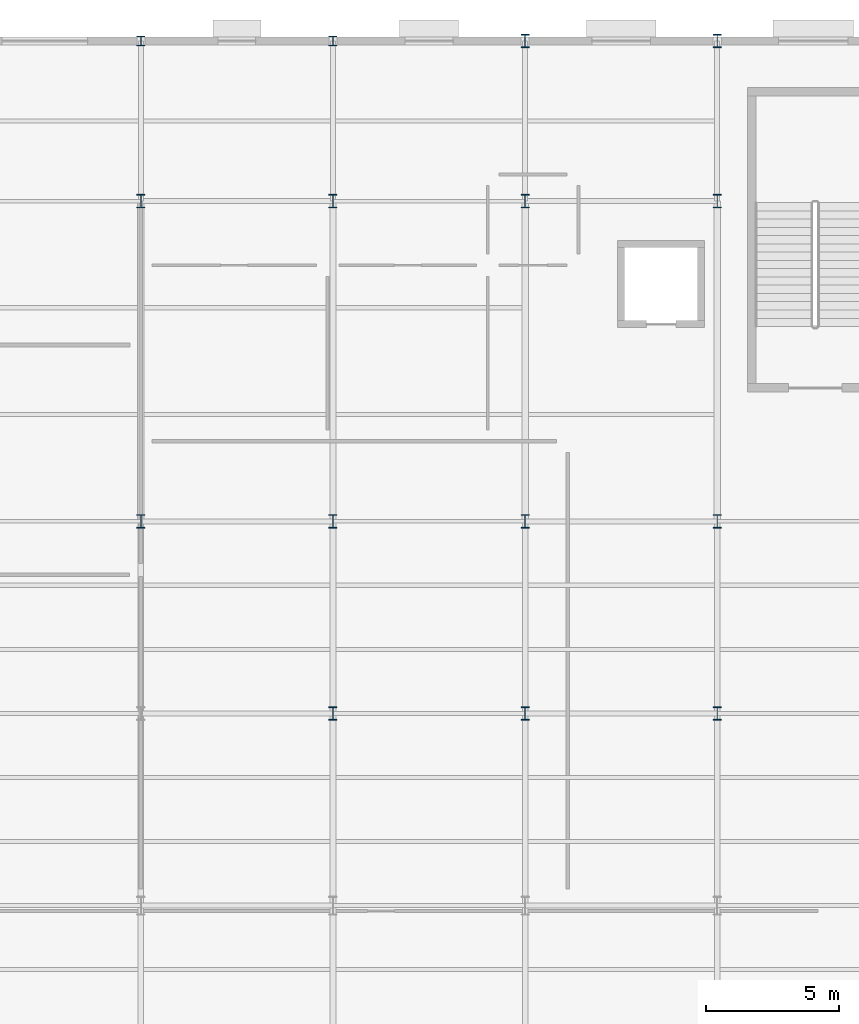
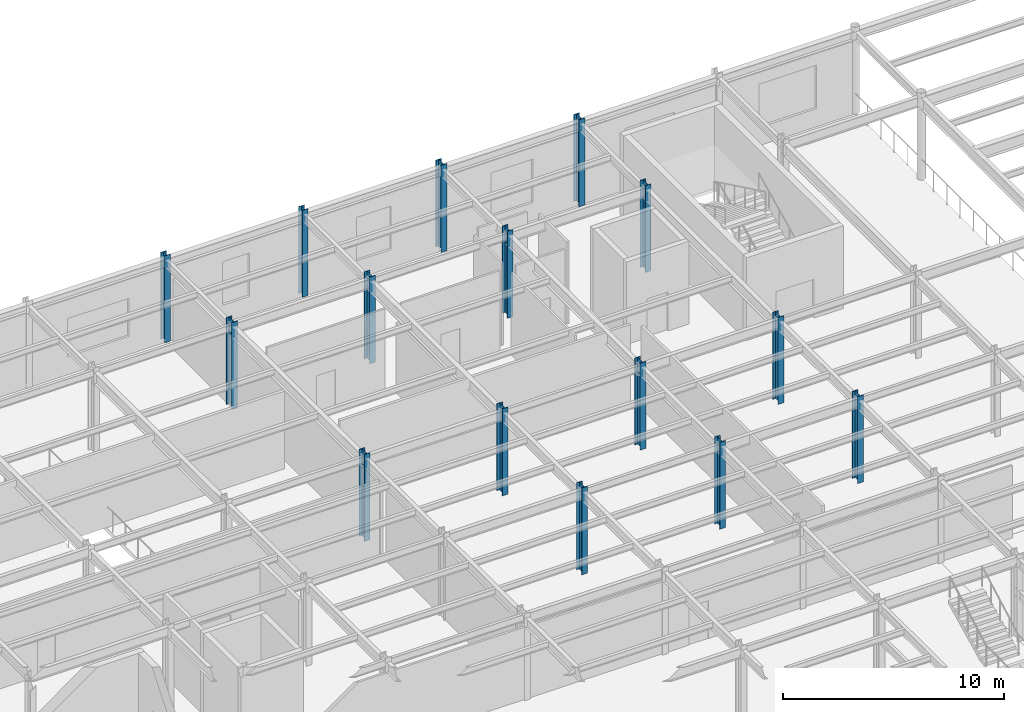
# One storey, part 11 of 121: 15 columns.
"""IFC4 building model written with IfcOpenShell, lengths in metres."""

from ifc_helpers import new_model, si_unit, direction, frame, origin, origin_2d, place, context, subcontext, project, spatial, i_section, extrude, material, material_profile, profile_set, type_object, element, save


model = new_model("IFC4")

# Units and contexts
model_context = context("Model", 3, precision=1e-05, world=origin(), true_north=direction((0.0, 1.0)))
body_context = subcontext(model_context, "Body", "Model", "MODEL_VIEW")
ifc_project = project(units=[si_unit("LENGTHUNIT", "METRE"), si_unit("AREAUNIT", "SQUARE_METRE"), si_unit("VOLUMEUNIT", "CUBIC_METRE"), si_unit("PLANEANGLEUNIT", "RADIAN"), si_unit("MASSUNIT", "GRAM", prefix="KILO")], contexts=[model_context])

# Site, building, storey
site_placement = place(None, origin())
site = spatial("IfcSite", under=ifc_project, at=site_placement, CompositionType="ELEMENT")
building_placement = place(site_placement, origin())
building = spatial("IfcBuilding", under=site, at=building_placement, Name="Solvadek Multi-Sports Hall", CompositionType="ELEMENT")
storey_placement = place(building_placement, frame((0.0, 0.0, 4.800048828125)))
storey = spatial("IfcBuildingStorey", under=building, at=storey_placement, Name="L01", CompositionType="ELEMENT", Elevation=4.800048828125)

# Columns
ifc_material = material(Name="Steel E350 (350 MPa)", Category="steel")
ifc_material_profile_1 = material_profile(ifc_material, i_section(OverallWidth=0.300048828125, OverallDepth=0.360107421875, WebThickness=0.012451171875, FlangeThickness=0.0224609375, at=origin_2d()), Name="WPB 360")
ifc_profile_set_1 = profile_set([ifc_material_profile_1], Name="Steel E350 (350 MPa)")
column_type_1 = type_object("IfcColumnType", Name="STR-COL-WPB360", PredefinedType="COLUMN", material=ifc_profile_set_1)
for number, where, z_axis, x_axis, name in (
    (1, (36.0, 110.39990234375, 0.0), (0.0, 0.0, 1.0), (1.0, 0.0, 0.0), "L01 Column C-08 #80"),
    (2, (43.199951171875, 110.39990234375, 0.0), (0.0, 0.0, 1.0), (1.0, 0.0, 0.0), "L01 Column C-08 #96"),
):
    element("IfcColumn", number, at=place(storey_placement, frame(where, z_axis=z_axis, x_axis=x_axis)), inside=storey, type_object=column_type_1, Name=name, PredefinedType="COLUMN", context=body_context, shape_type="SweptSolid", body=[
        extrude(i_section(OverallWidth=0.300048828125, OverallDepth=0.360107421875, WebThickness=0.012451171875, FlangeThickness=0.0224609375, at=origin_2d()), origin(), (0.0, 0.0, 1.0), 4.800048828125),
    ])
ifc_material_profile_2 = material_profile(ifc_material, i_section(OverallWidth=0.300048828125, OverallDepth=0.5, WebThickness=0.014404296875, FlangeThickness=0.028076171875, at=origin_2d()), Name="WPB 500")
ifc_profile_set_2 = profile_set([ifc_material_profile_2], Name="Steel E350 (350 MPa)")
column_type_2 = type_object("IfcColumnType", Name="STR-COL-WPB500", PredefinedType="COLUMN", material=ifc_profile_set_2)
for number, where, z_axis, x_axis, name in (
    (3, (36.0, 92.39990234375, 0.0), (0.0, 0.0, 1.0), (1.0, 0.0, 0.0), "L01 Column C-05 #78"),
    (4, (36.0, 104.39990234375, 0.0), (0.0, 0.0, 1.0), (1.0, 0.0, 0.0), "L01 Column C-05 #79"),
    (5, (43.199951171875, 85.199951171875, 0.0), (0.0, 0.0, 1.0), (1.0, 0.0, 0.0), "L01 Column C-05 #93"),
    (6, (43.199951171875, 92.39990234375, 0.0), (0.0, 0.0, 1.0), (1.0, 0.0, 0.0), "L01 Column C-05 #94"),
    (7, (43.199951171875, 104.39990234375, 0.0), (0.0, 0.0, 1.0), (1.0, 0.0, 0.0), "L01 Column C-05 #95"),
    (8, (50.39990234375, 85.199951171875, 0.0), (0.0, 0.0, 1.0), (1.0, 0.0, 0.0), "L01 Column C-05 #109"),
    (9, (50.39990234375, 92.39990234375, 0.0), (0.0, 0.0, 1.0), (1.0, 0.0, 0.0), "L01 Column C-05 #110"),
    (10, (50.39990234375, 104.39990234375, 0.0), (0.0, 0.0, 1.0), (1.0, 0.0, 0.0), "L01 Column C-05 #111"),
    (11, (50.39990234375, 110.39990234375, 0.0), (0.0, 0.0, 1.0), (1.0, 0.0, 0.0), "L01 Column C-05 #112"),
    (12, (57.60009765625, 85.199951171875, 0.0), (0.0, 0.0, 1.0), (1.0, 0.0, 0.0), "L01 Column C-05 #125"),
    (13, (57.60009765625, 92.39990234375, 0.0), (0.0, 0.0, 1.0), (1.0, 0.0, 0.0), "L01 Column C-05 #126"),
    (14, (57.60009765625, 104.39990234375, 0.0), (0.0, 0.0, 1.0), (1.0, 0.0, 0.0), "L01 Column C-05 #127"),
    (15, (57.60009765625, 110.39990234375, 0.0), (0.0, 0.0, 1.0), (1.0, 0.0, 0.0), "L01 Column C-05 #128"),
):
    element("IfcColumn", number, at=place(storey_placement, frame(where, z_axis=z_axis, x_axis=x_axis)), inside=storey, type_object=column_type_2, Name=name, PredefinedType="COLUMN", context=body_context, shape_type="SweptSolid", body=[
        extrude(i_section(OverallWidth=0.300048828125, OverallDepth=0.5, WebThickness=0.014404296875, FlangeThickness=0.028076171875, at=origin_2d()), origin(), (0.0, 0.0, 1.0), 4.800048828125),
    ])

save(model, "model.ifc")
